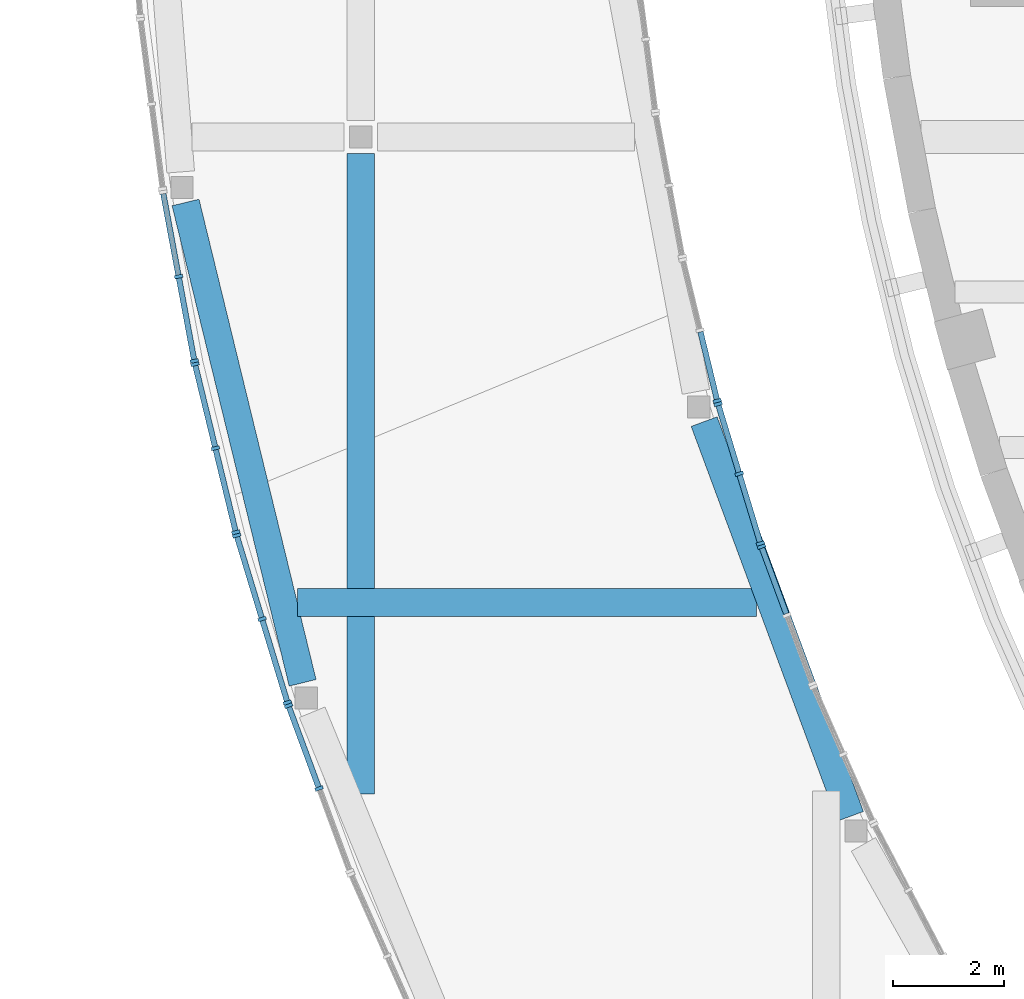
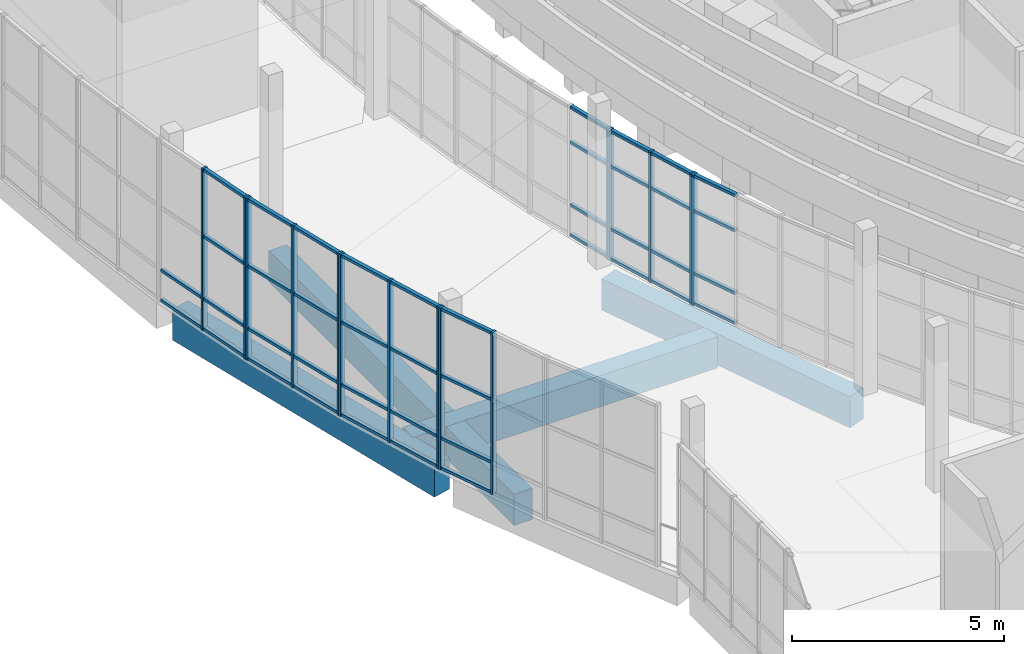
# One storey, part 10 of 103: 57 members, 4 beams, 7 elements without a shape of their own.
"""IFC4 building model written with IfcOpenShell, lengths in metres."""

from ifc_helpers import new_model, si_unit, direction, frame, origin, origin_2d, place, context, subcontext, project, spatial, rectangle, extrude, material, layer, layer_set, material_profile, profile_set, type_object, element, aggregate, save


model = new_model("IFC4")

# Units and contexts
model_context = context("Model", 3, precision=1e-05, world=origin(), true_north=direction((0.0, 1.0)))
body_context = subcontext(model_context, "Body", "Model", "MODEL_VIEW")
ifc_project = project(units=[si_unit("LENGTHUNIT", "METRE"), si_unit("AREAUNIT", "SQUARE_METRE"), si_unit("VOLUMEUNIT", "CUBIC_METRE"), si_unit("PLANEANGLEUNIT", "RADIAN"), si_unit("MASSUNIT", "GRAM", prefix="KILO")], contexts=[model_context])

# Site, building, storey
site_placement = place(None, origin())
site = spatial("IfcSite", under=ifc_project, at=site_placement, CompositionType="ELEMENT")
building_placement = place(site_placement, origin())
building = spatial("IfcBuilding", under=site, at=building_placement, Name="Larchfold Concert Hall", CompositionType="ELEMENT")
storey_placement = place(building_placement, frame((0.0, 0.0, 9.60009765625)))
storey = spatial("IfcBuildingStorey", under=building, at=storey_placement, Name="L02", CompositionType="ELEMENT", Elevation=9.60009765625)

# Curtain wall, member
ifc_material_1 = material(Name="Anodised graphite aluminium curtain wall", Category="aluminium")
ifc_layer = layer(ifc_material_1, 0.14990234375)
ifc_layer_set = layer_set([ifc_layer], Name="Anodised graphite aluminium curtain wall")
curtain_wall_type = type_object("IfcCurtainWallType", Name="Curtain wall WG", PredefinedType="NOTDEFINED", material=ifc_layer_set)
curtain_wall_1_placement = place(storey_placement, origin())
curtain_wall_1 = element("IfcCurtainWall", 1, at=curtain_wall_1_placement, inside=storey, type_object=curtain_wall_type, Name="Curtain wall CW0217", PredefinedType="NOTDEFINED")
ifc_material_2 = material(Name="Anodised graphite aluminium mullion", Category="aluminium")
ifc_material_profile_1 = material_profile(ifc_material_2, rectangle(XDim=0.14990234375, YDim=0.06005859375, at=origin_2d()))
ifc_profile_set_1 = profile_set([ifc_material_profile_1], Name="Anodised graphite aluminium mullion")
member_type_1 = type_object("IfcMemberType", Name="Aluminium mullion 60x150", PredefinedType="MULLION", material=ifc_profile_set_1)
member_1_placement = place(storey_placement, frame((16.230712890625, 68.808837890625, 0.0), z_axis=(0.0, 0.0, 1.0), x_axis=(-0.938001528432, -0.346631119, 0.0)))
member_1 = element("IfcMember", 2, at=member_1_placement, type_object=member_type_1, Name="CW0217 mullion 3", PredefinedType="MULLION", context=body_context, shape_type="SweptSolid", body=[
    extrude(rectangle(XDim=0.14990234375, YDim=0.06005859375, at=origin_2d()), origin(), (0.0, 0.0, 1.0), 3.75),
])

# Curtain wall, members
curtain_wall_2_placement = place(storey_placement, origin())
curtain_wall_2 = element("IfcCurtainWall", 3, at=curtain_wall_2_placement, inside=storey, type_object=curtain_wall_type, Name="Curtain wall CW0218", PredefinedType="NOTDEFINED")
member_2_placement = place(storey_placement, frame((16.21142578125, 68.86572265625, 0.0), z_axis=(0.0, 0.0, 1.0), x_axis=(-0.956856236109, -0.290561772124, 0.0)))
member_2 = element("IfcMember", 4, at=member_2_placement, type_object=member_type_1, Name="CW0218 mullion 1", PredefinedType="MULLION", context=body_context, shape_type="SweptSolid", body=[
    extrude(rectangle(XDim=0.14990234375, YDim=0.06005859375, at=origin_2d()), origin(), (0.0, 0.0, 1.0), 3.75),
])
member_3_placement = place(storey_placement, frame((15.82958984375, 70.123291015625, 0.0), z_axis=(0.0, 0.0, 1.0), x_axis=(-0.956856236109, -0.290561772124, 0.0)))
member_3 = element("IfcMember", 5, at=member_3_placement, type_object=member_type_1, Name="CW0218 mullion 2", PredefinedType="MULLION", context=body_context, shape_type="SweptSolid", body=[
    extrude(rectangle(XDim=0.14990234375, YDim=0.06005859375, at=origin_2d()), origin(), (0.0, 0.0, 1.0), 3.75),
])
member_4_placement = place(storey_placement, frame((15.44775390625, 71.380859375, 0.0), z_axis=(0.0, 0.0, 1.0), x_axis=(-0.956856236109, -0.290561772124, 0.0)))
member_4 = element("IfcMember", 6, at=member_4_placement, type_object=member_type_1, Name="CW0218 mullion 3", PredefinedType="MULLION", context=body_context, shape_type="SweptSolid", body=[
    extrude(rectangle(XDim=0.14990234375, YDim=0.06005859375, at=origin_2d()), origin(), (0.0, 0.0, 1.0), 3.75),
])

# Curtain wall, member
curtain_wall_3_placement = place(storey_placement, origin())
curtain_wall_3 = element("IfcCurtainWall", 7, at=curtain_wall_3_placement, inside=storey, type_object=curtain_wall_type, Name="Curtain wall CW0219", PredefinedType="NOTDEFINED")
member_5_placement = place(storey_placement, frame((15.431884765625, 71.438720703125, 0.0), z_axis=(0.0, 0.0, 1.0), x_axis=(-0.97177101692, -0.235926027973, 0.0)))
member_5 = element("IfcMember", 8, at=member_5_placement, type_object=member_type_1, Name="CW0219 mullion 1", PredefinedType="MULLION", context=body_context, shape_type="SweptSolid", body=[
    extrude(rectangle(XDim=0.14990234375, YDim=0.06005859375, at=origin_2d()), origin(), (0.0, 0.0, 1.0), 3.75),
])

# Curtain wall, members
curtain_wall_4_placement = place(storey_placement, origin())
curtain_wall_4 = element("IfcCurtainWall", 9, at=curtain_wall_4_placement, inside=storey, type_object=curtain_wall_type, Name="Curtain wall CW0277", PredefinedType="NOTDEFINED")
member_6_placement = place(storey_placement, frame((5.71484375, 73.68212890625, 0.0), z_axis=(0.0, 0.0, 1.0), x_axis=(0.983234300554, 0.182346675908, 0.0)))
member_6 = element("IfcMember", 10, at=member_6_placement, type_object=member_type_1, Name="CW0277 mullion 2", PredefinedType="MULLION", context=body_context, shape_type="SweptSolid", body=[
    extrude(rectangle(XDim=0.14990234375, YDim=0.06005859375, at=origin_2d()), origin(), (0.0, 0.0, 1.0), 4.64990234375),
])
member_7_placement = place(storey_placement, frame((5.997314453125, 72.158935546875, 0.0), z_axis=(0.0, 0.0, 1.0), x_axis=(0.983234300554, 0.182346675908, 0.0)))
member_7 = element("IfcMember", 11, at=member_7_placement, type_object=member_type_1, Name="CW0277 mullion 3", PredefinedType="MULLION", context=body_context, shape_type="SweptSolid", body=[
    extrude(rectangle(XDim=0.14990234375, YDim=0.06005859375, at=origin_2d()), origin(), (0.0, 0.0, 1.0), 4.64990234375),
])

curtain_wall_5_placement = place(storey_placement, origin())
curtain_wall_5 = element("IfcCurtainWall", 12, at=curtain_wall_5_placement, inside=storey, type_object=curtain_wall_type, Name="Curtain wall CW0278", PredefinedType="NOTDEFINED")
member_8_placement = place(storey_placement, frame((6.009765625, 72.100341796875, 0.0), z_axis=(0.0, 0.0, 1.0), x_axis=(0.97176803509, 0.235938309687, 0.0)))
member_8 = element("IfcMember", 13, at=member_8_placement, type_object=member_type_1, Name="CW0278 mullion 1", PredefinedType="MULLION", context=body_context, shape_type="SweptSolid", body=[
    extrude(rectangle(XDim=0.14990234375, YDim=0.06005859375, at=origin_2d()), origin(), (0.0, 0.0, 1.0), 4.64990234375),
])
member_9_placement = place(storey_placement, frame((6.3779296875, 70.583984375, 0.0), z_axis=(0.0, 0.0, 1.0), x_axis=(0.97176803509, 0.235938309687, 0.0)))
member_9 = element("IfcMember", 14, at=member_9_placement, type_object=member_type_1, Name="CW0278 mullion 2", PredefinedType="MULLION", context=body_context, shape_type="SweptSolid", body=[
    extrude(rectangle(XDim=0.14990234375, YDim=0.06005859375, at=origin_2d()), origin(), (0.0, 0.0, 1.0), 4.64990234375),
])
member_10_placement = place(storey_placement, frame((6.74609375, 69.0673828125, 0.0), z_axis=(0.0, 0.0, 1.0), x_axis=(0.97176803509, 0.235938309687, 0.0)))
member_10 = element("IfcMember", 15, at=member_10_placement, type_object=member_type_1, Name="CW0278 mullion 3", PredefinedType="MULLION", context=body_context, shape_type="SweptSolid", body=[
    extrude(rectangle(XDim=0.14990234375, YDim=0.06005859375, at=origin_2d()), origin(), (0.0, 0.0, 1.0), 4.64990234375),
])

curtain_wall_6_placement = place(storey_placement, origin())
curtain_wall_6 = element("IfcCurtainWall", 16, at=curtain_wall_6_placement, inside=storey, type_object=curtain_wall_type, Name="Curtain wall CW0279", PredefinedType="NOTDEFINED")
member_11_placement = place(storey_placement, frame((6.761962890625, 69.009521484375, 0.0), z_axis=(0.0, 0.0, 1.0), x_axis=(0.956851499638, 0.290577369456, 0.0)))
member_11 = element("IfcMember", 17, at=member_11_placement, type_object=member_type_1, Name="CW0279 mullion 1", PredefinedType="MULLION", context=body_context, shape_type="SweptSolid", body=[
    extrude(rectangle(XDim=0.14990234375, YDim=0.06005859375, at=origin_2d()), origin(), (0.0, 0.0, 1.0), 4.64990234375),
])
member_12_placement = place(storey_placement, frame((7.219482421875, 67.502685546875, 0.0), z_axis=(0.0, 0.0, 1.0), x_axis=(0.956851499638, 0.290577369456, 0.0)))
member_12 = element("IfcMember", 18, at=member_12_placement, type_object=member_type_1, Name="CW0279 mullion 2", PredefinedType="MULLION", context=body_context, shape_type="SweptSolid", body=[
    extrude(rectangle(XDim=0.14990234375, YDim=0.06005859375, at=origin_2d()), origin(), (0.0, 0.0, 1.0), 4.64990234375),
])
member_13_placement = place(storey_placement, frame((7.677001953125, 65.99609375, 0.0), z_axis=(0.0, 0.0, 1.0), x_axis=(0.956851499638, 0.290577369456, 0.0)))
member_13 = element("IfcMember", 19, at=member_13_placement, type_object=member_type_1, Name="CW0279 mullion 3", PredefinedType="MULLION", context=body_context, shape_type="SweptSolid", body=[
    extrude(rectangle(XDim=0.14990234375, YDim=0.06005859375, at=origin_2d()), origin(), (0.0, 0.0, 1.0), 4.64990234375),
])

curtain_wall_7_placement = place(storey_placement, origin())
curtain_wall_7 = element("IfcCurtainWall", 20, at=curtain_wall_7_placement, inside=storey, type_object=curtain_wall_type, Name="Curtain wall CW0280", PredefinedType="NOTDEFINED")
member_14_placement = place(storey_placement, frame((7.6962890625, 65.939208984375, 0.0), z_axis=(0.0, 0.0, 1.0), x_axis=(0.938015232283, 0.346594033425, 0.0)))
member_14 = element("IfcMember", 21, at=member_14_placement, type_object=member_type_1, Name="CW0280 mullion 1", PredefinedType="MULLION", context=body_context, shape_type="SweptSolid", body=[
    extrude(rectangle(XDim=0.14990234375, YDim=0.06005859375, at=origin_2d()), origin(), (0.0, 0.0, 1.0), 4.64990234375),
])
member_15_placement = place(storey_placement, frame((8.248291015625, 64.44482421875, 0.0), z_axis=(0.0, 0.0, 1.0), x_axis=(0.938015232283, 0.346594033425, 0.0)))
member_15 = element("IfcMember", 22, at=member_15_placement, type_object=member_type_1, Name="CW0280 mullion 2", PredefinedType="MULLION", context=body_context, shape_type="SweptSolid", body=[
    extrude(rectangle(XDim=0.14990234375, YDim=0.06005859375, at=origin_2d()), origin(), (0.0, 0.0, 1.0), 4.64990234375),
])

# Member
ifc_material_3 = material(Name="Anodised graphite aluminium transom", Category="aluminium")
ifc_material_profile_2 = material_profile(ifc_material_3, rectangle(XDim=0.10009765625, YDim=0.080078125, at=origin_2d()))
ifc_profile_set_2 = profile_set([ifc_material_profile_2], Name="Anodised graphite aluminium transom")
member_type_2 = type_object("IfcMemberType", Name="Aluminium transom 80x100", PredefinedType="USERDEFINED", material=ifc_profile_set_2)
member_16_placement = place(storey_placement, frame((16.677734375, 67.5986328125, 0.0400390625), z_axis=(-0.346639022733, 0.937998607631, 0.0), x_axis=(-0.937998607631, -0.346639022733, 0.0)))
member_16 = element("IfcMember", 23, at=member_16_placement, type_object=member_type_2, Name="CW0217 transom 2.1", ObjectType="TRANSOM", PredefinedType="USERDEFINED", context=body_context, shape_type="SweptSolid", body=[
    extrude(rectangle(XDim=0.10009765625, YDim=0.080078125, at=origin_2d()), origin(), (0.0, 0.0, 1.0), 1.260009765625),
])

member_17_placement = place(storey_placement, frame((16.677734375, 67.5986328125, 0.89990234375), z_axis=(-0.346639022733, 0.937998607631, 0.0), x_axis=(-0.937998607631, -0.346639022733, 0.0)))
member_17 = element("IfcMember", 24, at=member_17_placement, type_object=member_type_2, Name="CW0217 transom 2.2", ObjectType="TRANSOM", PredefinedType="USERDEFINED", context=body_context, shape_type="SweptSolid", body=[
    extrude(rectangle(XDim=0.10009765625, YDim=0.080078125, at=origin_2d()), origin(), (0.0, 0.0, 1.0), 1.260009765625),
])

member_18_placement = place(storey_placement, frame((16.677734375, 67.5986328125, 2.699951171875), z_axis=(-0.346639022733, 0.937998607631, 0.0), x_axis=(-0.937998607631, -0.346639022733, 0.0)))
member_18 = element("IfcMember", 25, at=member_18_placement, type_object=member_type_2, Name="CW0217 transom 2.3", ObjectType="TRANSOM", PredefinedType="USERDEFINED", context=body_context, shape_type="SweptSolid", body=[
    extrude(rectangle(XDim=0.10009765625, YDim=0.080078125, at=origin_2d()), origin(), (0.0, 0.0, 1.0), 1.260009765625),
])

member_19_placement = place(storey_placement, frame((16.677734375, 67.5986328125, 3.7099609375), z_axis=(-0.346639022733, 0.937998607631, 0.0), x_axis=(-0.937998607631, -0.346639022733, 0.0)))
member_19 = element("IfcMember", 26, at=member_19_placement, type_object=member_type_2, Name="CW0217 transom 2.4", ObjectType="TRANSOM", PredefinedType="USERDEFINED", context=body_context, shape_type="SweptSolid", body=[
    extrude(rectangle(XDim=0.10009765625, YDim=0.080078125, at=origin_2d()), origin(), (0.0, 0.0, 1.0), 1.260009765625),
])

aggregate(curtain_wall_1, [member_1, member_16, member_17, member_18, member_19])

member_20_placement = place(storey_placement, frame((16.202880859375, 68.894287109375, 0.0400390625), z_axis=(-0.29059616867, 0.956845790477, 0.0), x_axis=(-0.956845790477, -0.29059616867, 0.0)))
member_20 = element("IfcMember", 27, at=member_20_placement, type_object=member_type_2, Name="CW0218 transom 1.1", ObjectType="TRANSOM", PredefinedType="USERDEFINED", context=body_context, shape_type="SweptSolid", body=[
    extrude(rectangle(XDim=0.10009765625, YDim=0.080078125, at=origin_2d()), origin(), (0.0, 0.0, 1.0), 1.25439453125),
])

member_21_placement = place(storey_placement, frame((16.202880859375, 68.894287109375, 0.89990234375), z_axis=(-0.29059616867, 0.956845790477, 0.0), x_axis=(-0.956845790477, -0.29059616867, 0.0)))
member_21 = element("IfcMember", 28, at=member_21_placement, type_object=member_type_2, Name="CW0218 transom 1.2", ObjectType="TRANSOM", PredefinedType="USERDEFINED", context=body_context, shape_type="SweptSolid", body=[
    extrude(rectangle(XDim=0.10009765625, YDim=0.080078125, at=origin_2d()), origin(), (0.0, 0.0, 1.0), 1.25439453125),
])

member_22_placement = place(storey_placement, frame((16.202880859375, 68.894287109375, 2.699951171875), z_axis=(-0.29059616867, 0.956845790477, 0.0), x_axis=(-0.956845790477, -0.29059616867, 0.0)))
member_22 = element("IfcMember", 29, at=member_22_placement, type_object=member_type_2, Name="CW0218 transom 1.3", ObjectType="TRANSOM", PredefinedType="USERDEFINED", context=body_context, shape_type="SweptSolid", body=[
    extrude(rectangle(XDim=0.10009765625, YDim=0.080078125, at=origin_2d()), origin(), (0.0, 0.0, 1.0), 1.25439453125),
])

member_23_placement = place(storey_placement, frame((16.202880859375, 68.894287109375, 3.7099609375), z_axis=(-0.29059616867, 0.956845790477, 0.0), x_axis=(-0.956845790477, -0.29059616867, 0.0)))
member_23 = element("IfcMember", 30, at=member_23_placement, type_object=member_type_2, Name="CW0218 transom 1.4", ObjectType="TRANSOM", PredefinedType="USERDEFINED", context=body_context, shape_type="SweptSolid", body=[
    extrude(rectangle(XDim=0.10009765625, YDim=0.080078125, at=origin_2d()), origin(), (0.0, 0.0, 1.0), 1.25439453125),
])

member_24_placement = place(storey_placement, frame((15.82080078125, 70.152099609375, 0.0400390625), z_axis=(-0.29059616867, 0.956845790477, 0.0), x_axis=(-0.956845790477, -0.29059616867, 0.0)))
member_24 = element("IfcMember", 31, at=member_24_placement, type_object=member_type_2, Name="CW0218 transom 2.1", ObjectType="TRANSOM", PredefinedType="USERDEFINED", context=body_context, shape_type="SweptSolid", body=[
    extrude(rectangle(XDim=0.10009765625, YDim=0.080078125, at=origin_2d()), origin(), (0.0, 0.0, 1.0), 1.25439453125),
])

member_25_placement = place(storey_placement, frame((15.82080078125, 70.152099609375, 0.89990234375), z_axis=(-0.29059616867, 0.956845790477, 0.0), x_axis=(-0.956845790477, -0.29059616867, 0.0)))
member_25 = element("IfcMember", 32, at=member_25_placement, type_object=member_type_2, Name="CW0218 transom 2.2", ObjectType="TRANSOM", PredefinedType="USERDEFINED", context=body_context, shape_type="SweptSolid", body=[
    extrude(rectangle(XDim=0.10009765625, YDim=0.080078125, at=origin_2d()), origin(), (0.0, 0.0, 1.0), 1.25439453125),
])

member_26_placement = place(storey_placement, frame((15.82080078125, 70.152099609375, 2.699951171875), z_axis=(-0.29059616867, 0.956845790477, 0.0), x_axis=(-0.956845790477, -0.29059616867, 0.0)))
member_26 = element("IfcMember", 33, at=member_26_placement, type_object=member_type_2, Name="CW0218 transom 2.3", ObjectType="TRANSOM", PredefinedType="USERDEFINED", context=body_context, shape_type="SweptSolid", body=[
    extrude(rectangle(XDim=0.10009765625, YDim=0.080078125, at=origin_2d()), origin(), (0.0, 0.0, 1.0), 1.25439453125),
])

member_27_placement = place(storey_placement, frame((15.82080078125, 70.152099609375, 3.7099609375), z_axis=(-0.29059616867, 0.956845790477, 0.0), x_axis=(-0.956845790477, -0.29059616867, 0.0)))
member_27 = element("IfcMember", 34, at=member_27_placement, type_object=member_type_2, Name="CW0218 transom 2.4", ObjectType="TRANSOM", PredefinedType="USERDEFINED", context=body_context, shape_type="SweptSolid", body=[
    extrude(rectangle(XDim=0.10009765625, YDim=0.080078125, at=origin_2d()), origin(), (0.0, 0.0, 1.0), 1.25439453125),
])

aggregate(curtain_wall_2, [member_2, member_3, member_4, member_20, member_21, member_22, member_23, member_24, member_25, member_26, member_27])

member_28_placement = place(storey_placement, frame((15.4248046875, 71.468017578125, 0.0400390625), z_axis=(-0.236002599112, 0.971752423826, 0.0), x_axis=(-0.971752423826, -0.236002599112, 0.0)))
member_28 = element("IfcMember", 35, at=member_28_placement, type_object=member_type_2, Name="CW0219 transom 1.1", ObjectType="TRANSOM", PredefinedType="USERDEFINED", context=body_context, shape_type="SweptSolid", body=[
    extrude(rectangle(XDim=0.10009765625, YDim=0.080078125, at=origin_2d()), origin(), (0.0, 0.0, 1.0), 1.249755859375),
])

member_29_placement = place(storey_placement, frame((15.4248046875, 71.468017578125, 0.89990234375), z_axis=(-0.236002599112, 0.971752423826, 0.0), x_axis=(-0.971752423826, -0.236002599112, 0.0)))
member_29 = element("IfcMember", 36, at=member_29_placement, type_object=member_type_2, Name="CW0219 transom 1.2", ObjectType="TRANSOM", PredefinedType="USERDEFINED", context=body_context, shape_type="SweptSolid", body=[
    extrude(rectangle(XDim=0.10009765625, YDim=0.080078125, at=origin_2d()), origin(), (0.0, 0.0, 1.0), 1.249755859375),
])

member_30_placement = place(storey_placement, frame((15.4248046875, 71.468017578125, 2.699951171875), z_axis=(-0.236002599112, 0.971752423826, 0.0), x_axis=(-0.971752423826, -0.236002599112, 0.0)))
member_30 = element("IfcMember", 37, at=member_30_placement, type_object=member_type_2, Name="CW0219 transom 1.3", ObjectType="TRANSOM", PredefinedType="USERDEFINED", context=body_context, shape_type="SweptSolid", body=[
    extrude(rectangle(XDim=0.10009765625, YDim=0.080078125, at=origin_2d()), origin(), (0.0, 0.0, 1.0), 1.249755859375),
])

member_31_placement = place(storey_placement, frame((15.4248046875, 71.468017578125, 3.7099609375), z_axis=(-0.236002599112, 0.971752423826, 0.0), x_axis=(-0.971752423826, -0.236002599112, 0.0)))
member_31 = element("IfcMember", 38, at=member_31_placement, type_object=member_type_2, Name="CW0219 transom 1.4", ObjectType="TRANSOM", PredefinedType="USERDEFINED", context=body_context, shape_type="SweptSolid", body=[
    extrude(rectangle(XDim=0.10009765625, YDim=0.080078125, at=origin_2d()), origin(), (0.0, 0.0, 1.0), 1.249755859375),
])

aggregate(curtain_wall_3, [member_5, member_28, member_29, member_30, member_31])

member_32_placement = place(storey_placement, frame((5.437744140625, 75.17578125, 0.0400390625), z_axis=(0.182318227219, -0.983239576107, 0.0), x_axis=(0.983239576107, 0.182318227219, 0.0)))
member_32 = element("IfcMember", 39, at=member_32_placement, type_object=member_type_2, Name="CW0277 transom 1.1", ObjectType="TRANSOM", PredefinedType="USERDEFINED", context=body_context, shape_type="SweptSolid", body=[
    extrude(rectangle(XDim=0.10009765625, YDim=0.080078125, at=origin_2d()), origin(), (0.0, 0.0, 1.0), 1.489013671875),
])

member_33_placement = place(storey_placement, frame((5.437744140625, 75.17578125, 0.89990234375), z_axis=(0.182318227219, -0.983239576107, 0.0), x_axis=(0.983239576107, 0.182318227219, 0.0)))
member_33 = element("IfcMember", 40, at=member_33_placement, type_object=member_type_2, Name="CW0277 transom 1.2", ObjectType="TRANSOM", PredefinedType="USERDEFINED", context=body_context, shape_type="SweptSolid", body=[
    extrude(rectangle(XDim=0.10009765625, YDim=0.080078125, at=origin_2d()), origin(), (0.0, 0.0, 1.0), 1.489013671875),
])

member_34_placement = place(storey_placement, frame((5.72021484375, 73.652587890625, 0.0400390625), z_axis=(0.182318227219, -0.983239576107, 0.0), x_axis=(0.983239576107, 0.182318227219, 0.0)))
member_34 = element("IfcMember", 41, at=member_34_placement, type_object=member_type_2, Name="CW0277 transom 2.1", ObjectType="TRANSOM", PredefinedType="USERDEFINED", context=body_context, shape_type="SweptSolid", body=[
    extrude(rectangle(XDim=0.10009765625, YDim=0.080078125, at=origin_2d()), origin(), (0.0, 0.0, 1.0), 1.489013671875),
])

member_35_placement = place(storey_placement, frame((5.72021484375, 73.652587890625, 0.89990234375), z_axis=(0.182318227219, -0.983239576107, 0.0), x_axis=(0.983239576107, 0.182318227219, 0.0)))
member_35 = element("IfcMember", 42, at=member_35_placement, type_object=member_type_2, Name="CW0277 transom 2.2", ObjectType="TRANSOM", PredefinedType="USERDEFINED", context=body_context, shape_type="SweptSolid", body=[
    extrude(rectangle(XDim=0.10009765625, YDim=0.080078125, at=origin_2d()), origin(), (0.0, 0.0, 1.0), 1.489013671875),
])

member_36_placement = place(storey_placement, frame((5.72021484375, 73.652587890625, 2.699951171875), z_axis=(0.182318227219, -0.983239576107, 0.0), x_axis=(0.983239576107, 0.182318227219, 0.0)))
member_36 = element("IfcMember", 43, at=member_36_placement, type_object=member_type_2, Name="CW0277 transom 2.3", ObjectType="TRANSOM", PredefinedType="USERDEFINED", context=body_context, shape_type="SweptSolid", body=[
    extrude(rectangle(XDim=0.10009765625, YDim=0.080078125, at=origin_2d()), origin(), (0.0, 0.0, 1.0), 1.489013671875),
])

member_37_placement = place(storey_placement, frame((5.72021484375, 73.652587890625, 4.60986328125), z_axis=(0.182318227219, -0.983239576107, 0.0), x_axis=(0.983239576107, 0.182318227219, 0.0)))
member_37 = element("IfcMember", 44, at=member_37_placement, type_object=member_type_2, Name="CW0277 transom 2.4", ObjectType="TRANSOM", PredefinedType="USERDEFINED", context=body_context, shape_type="SweptSolid", body=[
    extrude(rectangle(XDim=0.10009765625, YDim=0.080078125, at=origin_2d()), origin(), (0.0, 0.0, 1.0), 1.489013671875),
])

aggregate(curtain_wall_4, [member_6, member_7, member_32, member_33, member_34, member_35, member_36, member_37])

member_38_placement = place(storey_placement, frame((6.016845703125, 72.071044921875, 0.0400390625), z_axis=(0.235944645089, -0.971766496878, 0.0), x_axis=(0.971766496878, 0.235944645089, 0.0)))
member_38 = element("IfcMember", 45, at=member_38_placement, type_object=member_type_2, Name="CW0278 transom 1.1", ObjectType="TRANSOM", PredefinedType="USERDEFINED", context=body_context, shape_type="SweptSolid", body=[
    extrude(rectangle(XDim=0.10009765625, YDim=0.080078125, at=origin_2d()), origin(), (0.0, 0.0, 1.0), 1.50048828125),
])

member_39_placement = place(storey_placement, frame((6.016845703125, 72.071044921875, 0.89990234375), z_axis=(0.235944645089, -0.971766496878, 0.0), x_axis=(0.971766496878, 0.235944645089, 0.0)))
member_39 = element("IfcMember", 46, at=member_39_placement, type_object=member_type_2, Name="CW0278 transom 1.2", ObjectType="TRANSOM", PredefinedType="USERDEFINED", context=body_context, shape_type="SweptSolid", body=[
    extrude(rectangle(XDim=0.10009765625, YDim=0.080078125, at=origin_2d()), origin(), (0.0, 0.0, 1.0), 1.50048828125),
])

member_40_placement = place(storey_placement, frame((6.016845703125, 72.071044921875, 2.699951171875), z_axis=(0.235944645089, -0.971766496878, 0.0), x_axis=(0.971766496878, 0.235944645089, 0.0)))
member_40 = element("IfcMember", 47, at=member_40_placement, type_object=member_type_2, Name="CW0278 transom 1.3", ObjectType="TRANSOM", PredefinedType="USERDEFINED", context=body_context, shape_type="SweptSolid", body=[
    extrude(rectangle(XDim=0.10009765625, YDim=0.080078125, at=origin_2d()), origin(), (0.0, 0.0, 1.0), 1.50048828125),
])

member_41_placement = place(storey_placement, frame((6.016845703125, 72.071044921875, 4.60986328125), z_axis=(0.235944645089, -0.971766496878, 0.0), x_axis=(0.971766496878, 0.235944645089, 0.0)))
member_41 = element("IfcMember", 48, at=member_41_placement, type_object=member_type_2, Name="CW0278 transom 1.4", ObjectType="TRANSOM", PredefinedType="USERDEFINED", context=body_context, shape_type="SweptSolid", body=[
    extrude(rectangle(XDim=0.10009765625, YDim=0.080078125, at=origin_2d()), origin(), (0.0, 0.0, 1.0), 1.50048828125),
])

member_42_placement = place(storey_placement, frame((6.385009765625, 70.5546875, 0.0400390625), z_axis=(0.235944645089, -0.971766496878, 0.0), x_axis=(0.971766496878, 0.235944645089, 0.0)))
member_42 = element("IfcMember", 49, at=member_42_placement, type_object=member_type_2, Name="CW0278 transom 2.1", ObjectType="TRANSOM", PredefinedType="USERDEFINED", context=body_context, shape_type="SweptSolid", body=[
    extrude(rectangle(XDim=0.10009765625, YDim=0.080078125, at=origin_2d()), origin(), (0.0, 0.0, 1.0), 1.50048828125),
])

member_43_placement = place(storey_placement, frame((6.385009765625, 70.5546875, 0.89990234375), z_axis=(0.235944645089, -0.971766496878, 0.0), x_axis=(0.971766496878, 0.235944645089, 0.0)))
member_43 = element("IfcMember", 50, at=member_43_placement, type_object=member_type_2, Name="CW0278 transom 2.2", ObjectType="TRANSOM", PredefinedType="USERDEFINED", context=body_context, shape_type="SweptSolid", body=[
    extrude(rectangle(XDim=0.10009765625, YDim=0.080078125, at=origin_2d()), origin(), (0.0, 0.0, 1.0), 1.50048828125),
])

member_44_placement = place(storey_placement, frame((6.385009765625, 70.5546875, 2.699951171875), z_axis=(0.235944645089, -0.971766496878, 0.0), x_axis=(0.971766496878, 0.235944645089, 0.0)))
member_44 = element("IfcMember", 51, at=member_44_placement, type_object=member_type_2, Name="CW0278 transom 2.3", ObjectType="TRANSOM", PredefinedType="USERDEFINED", context=body_context, shape_type="SweptSolid", body=[
    extrude(rectangle(XDim=0.10009765625, YDim=0.080078125, at=origin_2d()), origin(), (0.0, 0.0, 1.0), 1.50048828125),
])

member_45_placement = place(storey_placement, frame((6.385009765625, 70.5546875, 4.60986328125), z_axis=(0.235944645089, -0.971766496878, 0.0), x_axis=(0.971766496878, 0.235944645089, 0.0)))
member_45 = element("IfcMember", 52, at=member_45_placement, type_object=member_type_2, Name="CW0278 transom 2.4", ObjectType="TRANSOM", PredefinedType="USERDEFINED", context=body_context, shape_type="SweptSolid", body=[
    extrude(rectangle(XDim=0.10009765625, YDim=0.080078125, at=origin_2d()), origin(), (0.0, 0.0, 1.0), 1.50048828125),
])

aggregate(curtain_wall_5, [member_8, member_9, member_10, member_38, member_39, member_40, member_41, member_42, member_43, member_44, member_45])

member_46_placement = place(storey_placement, frame((6.7705078125, 68.98095703125, 0.0400390625), z_axis=(0.290584372476, -0.956849372928, 0.0), x_axis=(0.956849372928, 0.290584372476, 0.0)))
member_46 = element("IfcMember", 53, at=member_46_placement, type_object=member_type_2, Name="CW0279 transom 1.1", ObjectType="TRANSOM", PredefinedType="USERDEFINED", context=body_context, shape_type="SweptSolid", body=[
    extrude(rectangle(XDim=0.10009765625, YDim=0.080078125, at=origin_2d()), origin(), (0.0, 0.0, 1.0), 1.514892578125),
])

member_47_placement = place(storey_placement, frame((6.7705078125, 68.98095703125, 0.89990234375), z_axis=(0.290584372476, -0.956849372928, 0.0), x_axis=(0.956849372928, 0.290584372476, 0.0)))
member_47 = element("IfcMember", 54, at=member_47_placement, type_object=member_type_2, Name="CW0279 transom 1.2", ObjectType="TRANSOM", PredefinedType="USERDEFINED", context=body_context, shape_type="SweptSolid", body=[
    extrude(rectangle(XDim=0.10009765625, YDim=0.080078125, at=origin_2d()), origin(), (0.0, 0.0, 1.0), 1.514892578125),
])

member_48_placement = place(storey_placement, frame((6.7705078125, 68.98095703125, 2.699951171875), z_axis=(0.290584372476, -0.956849372928, 0.0), x_axis=(0.956849372928, 0.290584372476, 0.0)))
member_48 = element("IfcMember", 55, at=member_48_placement, type_object=member_type_2, Name="CW0279 transom 1.3", ObjectType="TRANSOM", PredefinedType="USERDEFINED", context=body_context, shape_type="SweptSolid", body=[
    extrude(rectangle(XDim=0.10009765625, YDim=0.080078125, at=origin_2d()), origin(), (0.0, 0.0, 1.0), 1.514892578125),
])

member_49_placement = place(storey_placement, frame((6.7705078125, 68.98095703125, 4.60986328125), z_axis=(0.290584372476, -0.956849372928, 0.0), x_axis=(0.956849372928, 0.290584372476, 0.0)))
member_49 = element("IfcMember", 56, at=member_49_placement, type_object=member_type_2, Name="CW0279 transom 1.4", ObjectType="TRANSOM", PredefinedType="USERDEFINED", context=body_context, shape_type="SweptSolid", body=[
    extrude(rectangle(XDim=0.10009765625, YDim=0.080078125, at=origin_2d()), origin(), (0.0, 0.0, 1.0), 1.514892578125),
])

member_50_placement = place(storey_placement, frame((7.228271484375, 67.47412109375, 0.0400390625), z_axis=(0.290584372476, -0.956849372928, 0.0), x_axis=(0.956849372928, 0.290584372476, 0.0)))
member_50 = element("IfcMember", 57, at=member_50_placement, type_object=member_type_2, Name="CW0279 transom 2.1", ObjectType="TRANSOM", PredefinedType="USERDEFINED", context=body_context, shape_type="SweptSolid", body=[
    extrude(rectangle(XDim=0.10009765625, YDim=0.080078125, at=origin_2d()), origin(), (0.0, 0.0, 1.0), 1.514892578125),
])

member_51_placement = place(storey_placement, frame((7.228271484375, 67.47412109375, 0.89990234375), z_axis=(0.290584372476, -0.956849372928, 0.0), x_axis=(0.956849372928, 0.290584372476, 0.0)))
member_51 = element("IfcMember", 58, at=member_51_placement, type_object=member_type_2, Name="CW0279 transom 2.2", ObjectType="TRANSOM", PredefinedType="USERDEFINED", context=body_context, shape_type="SweptSolid", body=[
    extrude(rectangle(XDim=0.10009765625, YDim=0.080078125, at=origin_2d()), origin(), (0.0, 0.0, 1.0), 1.514892578125),
])

member_52_placement = place(storey_placement, frame((7.228271484375, 67.47412109375, 2.699951171875), z_axis=(0.290584372476, -0.956849372928, 0.0), x_axis=(0.956849372928, 0.290584372476, 0.0)))
member_52 = element("IfcMember", 59, at=member_52_placement, type_object=member_type_2, Name="CW0279 transom 2.3", ObjectType="TRANSOM", PredefinedType="USERDEFINED", context=body_context, shape_type="SweptSolid", body=[
    extrude(rectangle(XDim=0.10009765625, YDim=0.080078125, at=origin_2d()), origin(), (0.0, 0.0, 1.0), 1.514892578125),
])

member_53_placement = place(storey_placement, frame((7.228271484375, 67.47412109375, 4.60986328125), z_axis=(0.290584372476, -0.956849372928, 0.0), x_axis=(0.956849372928, 0.290584372476, 0.0)))
member_53 = element("IfcMember", 60, at=member_53_placement, type_object=member_type_2, Name="CW0279 transom 2.4", ObjectType="TRANSOM", PredefinedType="USERDEFINED", context=body_context, shape_type="SweptSolid", body=[
    extrude(rectangle(XDim=0.10009765625, YDim=0.080078125, at=origin_2d()), origin(), (0.0, 0.0, 1.0), 1.514892578125),
])

aggregate(curtain_wall_6, [member_11, member_12, member_13, member_46, member_47, member_48, member_49, member_50, member_51, member_52, member_53])

member_54_placement = place(storey_placement, frame((7.70654296875, 65.910888671875, 0.0400390625), z_axis=(0.34659834875, -0.938013637771, 0.0), x_axis=(0.938013637771, 0.34659834875, 0.0)))
member_54 = element("IfcMember", 61, at=member_54_placement, type_object=member_type_2, Name="CW0280 transom 1.1", ObjectType="TRANSOM", PredefinedType="USERDEFINED", context=body_context, shape_type="SweptSolid", body=[
    extrude(rectangle(XDim=0.10009765625, YDim=0.080078125, at=origin_2d()), origin(), (0.0, 0.0, 1.0), 1.53271484375),
])

member_55_placement = place(storey_placement, frame((7.70654296875, 65.910888671875, 0.89990234375), z_axis=(0.34659834875, -0.938013637771, 0.0), x_axis=(0.938013637771, 0.34659834875, 0.0)))
member_55 = element("IfcMember", 62, at=member_55_placement, type_object=member_type_2, Name="CW0280 transom 1.2", ObjectType="TRANSOM", PredefinedType="USERDEFINED", context=body_context, shape_type="SweptSolid", body=[
    extrude(rectangle(XDim=0.10009765625, YDim=0.080078125, at=origin_2d()), origin(), (0.0, 0.0, 1.0), 1.53271484375),
])

member_56_placement = place(storey_placement, frame((7.70654296875, 65.910888671875, 2.699951171875), z_axis=(0.34659834875, -0.938013637771, 0.0), x_axis=(0.938013637771, 0.34659834875, 0.0)))
member_56 = element("IfcMember", 63, at=member_56_placement, type_object=member_type_2, Name="CW0280 transom 1.3", ObjectType="TRANSOM", PredefinedType="USERDEFINED", context=body_context, shape_type="SweptSolid", body=[
    extrude(rectangle(XDim=0.10009765625, YDim=0.080078125, at=origin_2d()), origin(), (0.0, 0.0, 1.0), 1.53271484375),
])

member_57_placement = place(storey_placement, frame((7.70654296875, 65.910888671875, 4.60986328125), z_axis=(0.34659834875, -0.938013637771, 0.0), x_axis=(0.938013637771, 0.34659834875, 0.0)))
member_57 = element("IfcMember", 64, at=member_57_placement, type_object=member_type_2, Name="CW0280 transom 1.4", ObjectType="TRANSOM", PredefinedType="USERDEFINED", context=body_context, shape_type="SweptSolid", body=[
    extrude(rectangle(XDim=0.10009765625, YDim=0.080078125, at=origin_2d()), origin(), (0.0, 0.0, 1.0), 1.53271484375),
])

aggregate(curtain_wall_7, [member_14, member_15, member_54, member_55, member_56, member_57])

# Beams
ifc_material_4 = material(Name="Concrete C35/45", Category="concrete")
ifc_material_profile_3 = material_profile(ifc_material_4, rectangle(XDim=0.5, YDim=0.89990234375, at=origin_2d()))
ifc_profile_set_3 = profile_set([ifc_material_profile_3], Name="Concrete C35/45")
beam_type = type_object("IfcBeamType", Name="Beam RC 500x900", PredefinedType="BEAM", material=ifc_profile_set_3)
beam_1_placement = place(storey_placement, frame((7.95166015625, 66.35107421875, -0.60009765625), z_axis=(-0.236787328318, 0.971561506621, 0.0), x_axis=(-0.971561506621, -0.236787328318, 0.0)))
element("IfcBeam", 65, at=beam_1_placement, inside=storey, type_object=beam_type, Name="Beam B1940", PredefinedType="BEAM", context=body_context, shape_type="SweptSolid", body=[
    extrude(rectangle(XDim=0.5, YDim=0.89990234375, at=origin_2d()), origin(), (0.0, 0.0, 1.0), 8.920654296875),
])
beam_2_placement = place(storey_placement, frame((15.1962890625, 71.064453125, -0.60009765625), z_axis=(0.34751012109, -0.937676231831, 0.0), x_axis=(0.937676231831, 0.34751012109, 0.0)))
element("IfcBeam", 66, at=beam_2_placement, inside=storey, type_object=beam_type, Name="Beam B1960", PredefinedType="BEAM", context=body_context, shape_type="SweptSolid", body=[
    extrude(rectangle(XDim=0.5, YDim=0.89990234375, at=origin_2d()), origin(), (0.0, 0.0, 1.0), 7.59521484375),
])
beam_3_placement = place(storey_placement, frame((9.0, 64.343994140625, -0.60009765625), z_axis=(0.0, 1.0, 0.0), x_axis=(-1.0, 0.0, 0.0)))
element("IfcBeam", 67, at=beam_3_placement, inside=storey, type_object=beam_type, Name="Beam B1962", PredefinedType="BEAM", context=body_context, shape_type="SweptSolid", body=[
    extrude(rectangle(XDim=0.5, YDim=0.89990234375, at=origin_2d()), origin(), (0.0, 0.0, 1.0), 11.557373046875),
])
beam_4_placement = place(storey_placement, frame((7.85595703125, 67.800048828125, -0.60009765625), z_axis=(1.0, 0.0, 0.0), x_axis=(0.0, 1.0, 0.0)))
element("IfcBeam", 68, at=beam_4_placement, inside=storey, type_object=beam_type, Name="Beam B1988", PredefinedType="BEAM", context=body_context, shape_type="SweptSolid", body=[
    extrude(rectangle(XDim=0.5, YDim=0.89990234375, at=origin_2d()), origin(), (0.0, 0.0, 1.0), 8.283447265625),
])

save(model, "model.ifc")
